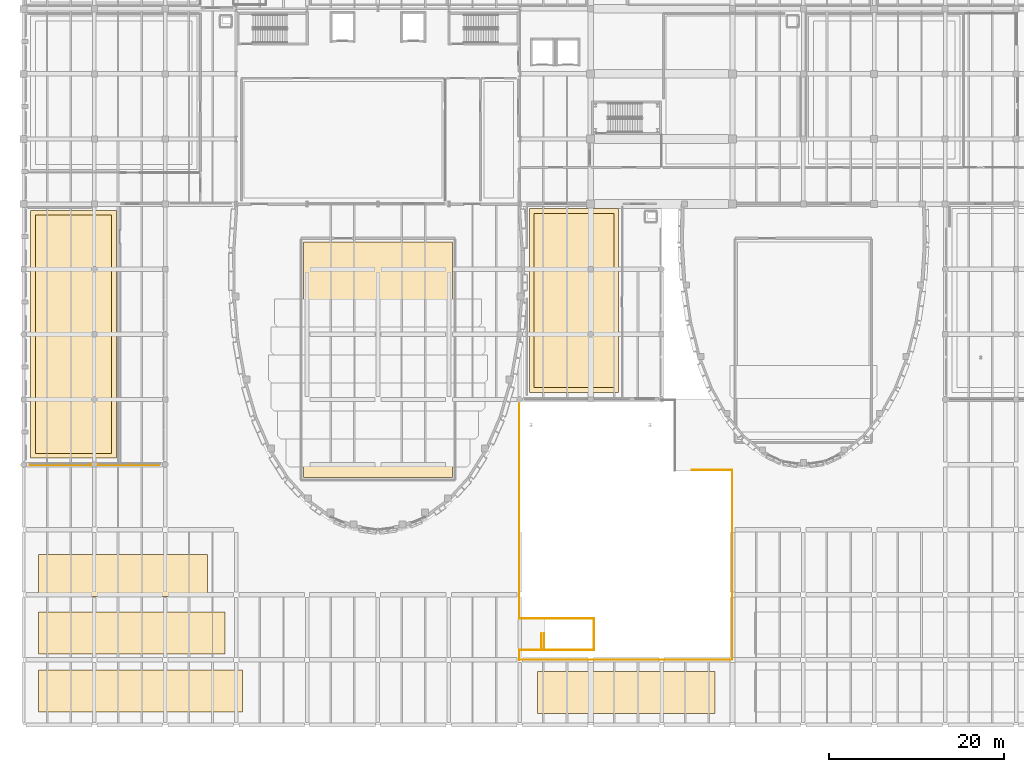
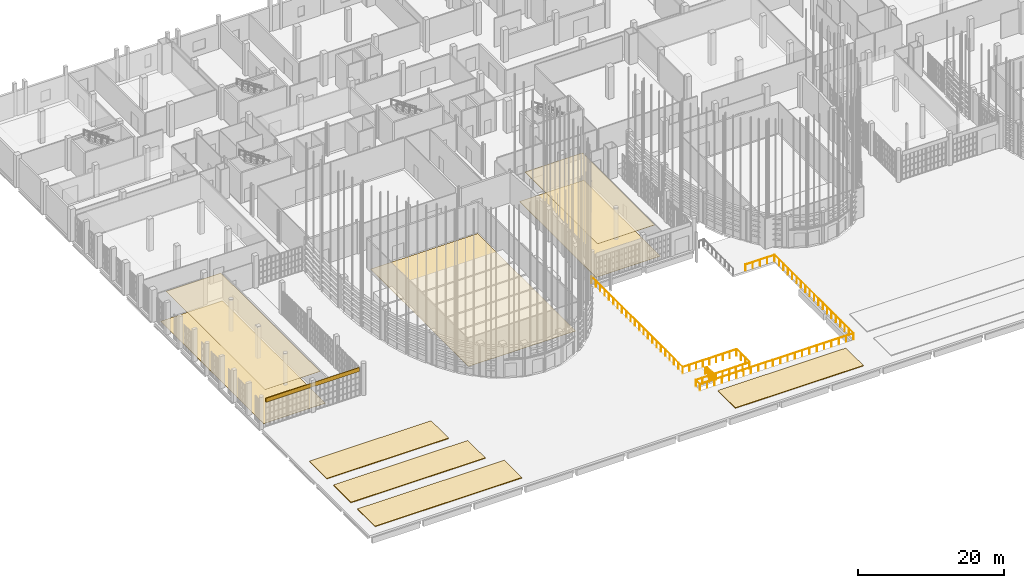
# One storey, part 361 of 372: 10 coverings, 10 railings.
"""IFC4 building model written with IfcOpenShell, lengths in metres."""

from ifc_helpers import new_model, si_unit, direction, frame, origin, origin_2d, place, context, subcontext, project, spatial, polyline, rectangle, circle, outline, extrude, material, layer, layer_set, type_object, element, save


model = new_model("IFC4")

# Units and contexts
model_context = context("Model", 3, precision=1e-05, world=origin(), true_north=direction((0.0, 1.0)))
body_context = subcontext(model_context, "Body", "Model", "MODEL_VIEW")
ifc_project = project(units=[si_unit("LENGTHUNIT", "METRE"), si_unit("AREAUNIT", "SQUARE_METRE"), si_unit("VOLUMEUNIT", "CUBIC_METRE"), si_unit("PLANEANGLEUNIT", "RADIAN"), si_unit("MASSUNIT", "GRAM", prefix="KILO")], contexts=[model_context])

# Site, building, storey
site_placement = place(None, origin())
site = spatial("IfcSite", under=ifc_project, at=site_placement, CompositionType="ELEMENT")
building_placement = place(site_placement, origin())
building = spatial("IfcBuilding", under=site, at=building_placement, Name="Kaelora Sail Theatre", CompositionType="ELEMENT")
storey_placement = place(building_placement, origin())
storey = spatial("IfcBuildingStorey", under=building, at=storey_placement, Name="L00", CompositionType="ELEMENT", Elevation=0.0)

# Coverings
ifc_material_1 = material(Name="Micro-perforated timber acoustic reflector", Category="wood")
ifc_layer_1 = layer(ifc_material_1, 0.050048828125)
ifc_layer_set_1 = layer_set([ifc_layer_1], Name="Micro-perforated timber acoustic reflector")
covering_type_1 = type_object("IfcCoveringType", Name="ARC-COV-CLG-AC-50", PredefinedType="CEILING", material=ifc_layer_set_1)
covering_1_placement = place(storey_placement, frame((0.0, 0.0, 5.070068359375)))
element("IfcCovering", 1, at=covering_1_placement, inside=storey, type_object=covering_type_1, Name="Acoustic ceiling L00-FOY-INTER1", PredefinedType="CEILING", context=body_context, shape_type="SweptSolid", body=[
    extrude(outline(polyline([(59.85009765625, 40.050048828125), (68.949951171875, 40.050048828125), (68.949951171875, 59.949951171875), (59.85009765625, 59.949951171875), (59.85009765625, 40.050048828125)])), origin(), (0.0, 0.0, 1.0), 0.050048828125),
])
ifc_material_2 = material(Name="Suspended acoustic mineral-fibre ceiling", Category="gypsum")
ifc_layer_2 = layer(ifc_material_2, 0.034912109375)
ifc_layer_set_2 = layer_set([ifc_layer_2], Name="Suspended acoustic mineral-fibre ceiling")
covering_type_2 = type_object("IfcCoveringType", Name="ARC-COV-CLG-GYP-35", PredefinedType="CEILING", material=ifc_layer_set_2)
covering_2_placement = place(storey_placement, frame((0.0, 0.0, 5.169921875)))
element("IfcCovering", 2, at=covering_2_placement, inside=storey, type_object=covering_type_2, Name="Acoustic ceiling L00-COL-WEST", PredefinedType="CEILING", context=body_context, shape_type="SweptSolid", body=[
    extrude(outline(polyline([(2.85009765625, 32.550048828125), (11.550048828125, 32.550048828125), (11.550048828125, 59.75), (2.85009765625, 59.75), (2.85009765625, 32.550048828125)])), origin(), (0.0, 0.0, 1.0), 0.03515625),
])
ifc_material_3 = material(Name="Sprung West African iroko stage and dance floor", Category="timber")
ifc_layer_3 = layer(ifc_material_3, 0.028076171875)
ifc_layer_set_3 = layer_set([ifc_layer_3], Name="Sprung West African iroko stage and dance floor")
covering_type_3 = type_object("IfcCoveringType", Name="ARC-COV-FLR-OAK-28", PredefinedType="FLOORING", material=ifc_layer_set_3)
covering_3_placement = place(storey_placement, origin())
element("IfcCovering", 3, at=covering_3_placement, inside=storey, type_object=covering_type_3, Name="Architectural flooring L00-AUD-MAIN", PredefinedType="FLOORING", context=body_context, shape_type="SweptSolid", body=[
    extrude(outline(polyline([(33.5, 29.800048828125), (50.5, 29.800048828125), (50.5, 56.699951171875), (33.5, 56.699951171875), (33.5, 29.800048828125)])), origin(), (0.0, 0.0, 1.0), 0.028076171875),
])
ifc_material_4 = material(Name="Polished basalt-terrazzo foyer flooring", Category="masonry")
ifc_layer_4 = layer(ifc_material_4, 0.031982421875)
ifc_layer_set_4 = layer_set([ifc_layer_4], Name="Polished basalt-terrazzo foyer flooring")
covering_type_4 = type_object("IfcCoveringType", Name="ARC-COV-FLR-TRZ-32", PredefinedType="FLOORING", material=ifc_layer_set_4)
covering_4_placement = place(storey_placement, origin())
element("IfcCovering", 4, at=covering_4_placement, inside=storey, type_object=covering_type_4, Name="Architectural flooring L00-COL-WEST", PredefinedType="FLOORING", context=body_context, shape_type="SweptSolid", body=[
    extrude(outline(polyline([(2.300048828125, 32.0), (12.10009765625, 32.0), (12.10009765625, 60.300048828125), (2.300048828125, 60.300048828125), (2.300048828125, 32.0)])), origin(), (0.0, 0.0, 1.0), 0.031982421875),
])
covering_5_placement = place(storey_placement, origin())
element("IfcCovering", 5, at=covering_5_placement, inside=storey, type_object=covering_type_4, Name="Architectural flooring L00-FOY-INTER1", PredefinedType="FLOORING", context=body_context, shape_type="SweptSolid", body=[
    extrude(outline(polyline([(59.300048828125, 39.5), (69.5, 39.5), (69.5, 60.5), (59.300048828125, 60.5), (59.300048828125, 39.5)])), origin(), (0.0, 0.0, 1.0), 0.031982421875),
])
ifc_material_5 = material(Name="Planted roof garden and green foliage terrace bed", Category="earth")
ifc_layer_5 = layer(ifc_material_5, 0.1201171875)
ifc_layer_set_5 = layer_set([ifc_layer_5], Name="Planted roof garden and green foliage terrace bed")
covering_type_5 = type_object("IfcCoveringType", Name="ARC-COV-GRN", PredefinedType="ROOFING", material=ifc_layer_set_5)
covering_6_placement = place(storey_placement, origin())
element("IfcCovering", 6, at=covering_6_placement, inside=storey, type_object=covering_type_5, Name="South Civic Podium Planted Garden Terrace POD-GRN-W1", PredefinedType="ROOFING", context=body_context, shape_type="SweptSolid", body=[
    extrude(outline(polyline([(3.199951171875, 3.0), (26.5, 3.0), (26.5, 7.800048828125), (3.199951171875, 7.800048828125), (3.199951171875, 3.0)])), origin(), (0.0, 0.0, 1.0), 0.1201171875),
])
covering_7_placement = place(storey_placement, origin())
element("IfcCovering", 7, at=covering_7_placement, inside=storey, type_object=covering_type_5, Name="South Civic Podium Planted Garden Terrace POD-GRN-W2", PredefinedType="ROOFING", context=body_context, shape_type="SweptSolid", body=[
    extrude(outline(polyline([(3.199951171875, 9.60009765625), (24.5, 9.60009765625), (24.5, 14.39990234375), (3.199951171875, 14.39990234375), (3.199951171875, 9.60009765625)])), origin(), (0.0, 0.0, 1.0), 0.1201171875),
])
covering_8_placement = place(storey_placement, origin())
element("IfcCovering", 8, at=covering_8_placement, inside=storey, type_object=covering_type_5, Name="South Civic Podium Planted Garden Terrace POD-GRN-W3", PredefinedType="ROOFING", context=body_context, shape_type="SweptSolid", body=[
    extrude(outline(polyline([(3.199951171875, 16.199951171875), (22.5, 16.199951171875), (22.5, 21.0), (3.199951171875, 21.0), (3.199951171875, 16.199951171875)])), origin(), (0.0, 0.0, 1.0), 0.1201171875),
])
covering_9_placement = place(storey_placement, origin())
element("IfcCovering", 9, at=covering_9_placement, inside=storey, type_object=covering_type_5, Name="South Civic Podium Planted Garden Terrace POD-GRN-C1", PredefinedType="ROOFING", context=body_context, shape_type="SweptSolid", body=[
    extrude(outline(polyline([(60.199951171875, 2.800048828125), (80.5, 2.800048828125), (80.5, 7.60009765625), (60.199951171875, 7.60009765625), (60.199951171875, 2.800048828125)])), origin(), (0.0, 0.0, 1.0), 0.1201171875),
])
ifc_material_6 = material(Name="Warm terracotta acoustic Postmodern facade entablature", Category="masonry")
ifc_layer_6 = layer(ifc_material_6, 0.06494140625)
ifc_layer_set_6 = layer_set([ifc_layer_6], Name="Warm terracotta acoustic Postmodern facade entablature")
covering_type_6 = type_object("IfcCoveringType", Name="ARC-COV-TRC", PredefinedType="CLADDING", material=ifc_layer_set_6)
covering_10_placement = place(storey_placement, frame((9.60009765625, 31.239990234375, 4.10986328125), z_axis=(0.0, 0.0, 1.0), x_axis=(1.0, 0.0, 0.0)))
element("IfcCovering", 10, at=covering_10_placement, inside=storey, type_object=covering_type_6, Name="Postmodern Terracotta Portal Entablature COLW", PredefinedType="CLADDING", context=body_context, shape_type="SweptSolid", body=[
    extrude(rectangle(XDim=14.800048828125, YDim=0.080078125, at=origin_2d()), origin(), (0.0, 0.0, 1.0), 0.679931640625),
])

# Railings
ifc_material_7 = material(Name="Stainless steel 316L and laminated glass balustrade", Category="steel")
railing_type = type_object("IfcRailingType", Name="ARC-RL-TER", PredefinedType="GUARDRAIL", material=ifc_material_7)
railing_1_placement = place(storey_placement, frame((58.139892578125, 8.93994140625, 0.0)))
element("IfcRailing", 11, at=railing_1_placement, inside=storey, type_object=railing_type, Name="Sunken Metro Forecourt Balustrade COURT-W1", PredefinedType="GUARDRAIL", context=body_context, shape_type="SweptSolid", body=[
    extrude(circle(Radius=0.02392578125, at=origin_2d()), frame((0.0, 0.0, 1.076171875), z_axis=(0.0, 1.0, 0.0), x_axis=(-1.0, 0.0, 0.0)), (0.0, 0.0, 1.0), 1.110107421875),
    extrude(circle(Radius=0.02099609375, at=origin_2d()), origin(), (0.0, 0.0, 1.0), 1.052001953125),
    extrude(circle(Radius=0.02099609375, at=origin_2d()), frame((0.0, 1.110107421875, 0.0)), (0.0, 0.0, 1.0), 1.052001953125),
])
railing_2_placement = place(storey_placement, frame((61.0, 10.080078125, 0.0)))
element("IfcRailing", 12, at=railing_2_placement, inside=storey, type_object=railing_type, Name="Sunken Metro Forecourt Balustrade STPLZ-WELL-W", PredefinedType="GUARDRAIL", context=body_context, shape_type="SweptSolid", body=[
    extrude(circle(Radius=0.02392578125, at=origin_2d()), frame((0.0, 0.0, 1.076171875), z_axis=(0.0, 1.0, 0.0), x_axis=(-1.0, 0.0, 0.0)), (0.0, 0.0, 1.0), 1.8798828125),
    extrude(circle(Radius=0.02099609375, at=origin_2d()), origin(), (0.0, 0.0, 1.0), 1.052001953125),
    extrude(circle(Radius=0.02099609375, at=origin_2d()), frame((0.0, 0.93994140625, 0.0)), (0.0, 0.0, 1.0), 1.052001953125),
    extrude(circle(Radius=0.02099609375, at=origin_2d()), frame((0.0, 1.8798828125, 0.0)), (0.0, 0.0, 1.0), 1.052001953125),
])
railing_3_placement = place(storey_placement, frame((58.139892578125, 13.64990234375, 0.0)))
element("IfcRailing", 13, at=railing_3_placement, inside=storey, type_object=railing_type, Name="Sunken Metro Forecourt Balustrade COURT-W2", PredefinedType="GUARDRAIL", context=body_context, shape_type="SweptSolid", body=[
    extrude(circle(Radius=0.02392578125, at=origin_2d()), frame((0.0, 0.0, 1.076171875), z_axis=(0.0, 1.0, 0.0), x_axis=(-1.0, 0.0, 0.0)), (0.0, 0.0, 1.0), 25.030029296875),
    extrude(circle(Radius=0.02099609375, at=origin_2d()), origin(), (0.0, 0.0, 1.0), 1.052001953125),
    extrude(circle(Radius=0.02099609375, at=origin_2d()), frame((0.0, 1.19189453125, 0.0)), (0.0, 0.0, 1.0), 1.052001953125),
    extrude(circle(Radius=0.02099609375, at=origin_2d()), frame((0.0, 2.3837890625, 0.0)), (0.0, 0.0, 1.0), 1.052001953125),
    extrude(circle(Radius=0.02099609375, at=origin_2d()), frame((0.0, 3.57568359375, 0.0)), (0.0, 0.0, 1.0), 1.052001953125),
    extrude(circle(Radius=0.02099609375, at=origin_2d()), frame((0.0, 4.767578125, 0.0)), (0.0, 0.0, 1.0), 1.052001953125),
    extrude(circle(Radius=0.02099609375, at=origin_2d()), frame((0.0, 5.95947265625, 0.0)), (0.0, 0.0, 1.0), 1.052001953125),
    extrude(circle(Radius=0.02099609375, at=origin_2d()), frame((0.0, 7.1513671875, 0.0)), (0.0, 0.0, 1.0), 1.052001953125),
    extrude(circle(Radius=0.02099609375, at=origin_2d()), frame((0.0, 8.34326171875, 0.0)), (0.0, 0.0, 1.0), 1.052001953125),
    extrude(circle(Radius=0.02099609375, at=origin_2d()), frame((0.0, 9.53515625, 0.0)), (0.0, 0.0, 1.0), 1.052001953125),
    extrude(circle(Radius=0.02099609375, at=origin_2d()), frame((0.0, 10.72705078125, 0.0)), (0.0, 0.0, 1.0), 1.052001953125),
    extrude(circle(Radius=0.02099609375, at=origin_2d()), frame((0.0, 11.9189453125, 0.0)), (0.0, 0.0, 1.0), 1.052001953125),
    extrude(circle(Radius=0.02099609375, at=origin_2d()), frame((0.0, 13.111083984375, 0.0)), (0.0, 0.0, 1.0), 1.052001953125),
    extrude(circle(Radius=0.02099609375, at=origin_2d()), frame((0.0, 14.302978515625, 0.0)), (0.0, 0.0, 1.0), 1.052001953125),
    extrude(circle(Radius=0.02099609375, at=origin_2d()), frame((0.0, 15.494873046875, 0.0)), (0.0, 0.0, 1.0), 1.052001953125),
    extrude(circle(Radius=0.02099609375, at=origin_2d()), frame((0.0, 16.686767578125, 0.0)), (0.0, 0.0, 1.0), 1.052001953125),
    extrude(circle(Radius=0.02099609375, at=origin_2d()), frame((0.0, 17.878662109375, 0.0)), (0.0, 0.0, 1.0), 1.052001953125),
    extrude(circle(Radius=0.02099609375, at=origin_2d()), frame((0.0, 19.070556640625, 0.0)), (0.0, 0.0, 1.0), 1.052001953125),
    extrude(circle(Radius=0.02099609375, at=origin_2d()), frame((0.0, 20.262451171875, 0.0)), (0.0, 0.0, 1.0), 1.052001953125),
    extrude(circle(Radius=0.02099609375, at=origin_2d()), frame((0.0, 21.454345703125, 0.0)), (0.0, 0.0, 1.0), 1.052001953125),
    extrude(circle(Radius=0.02099609375, at=origin_2d()), frame((0.0, 22.646240234375, 0.0)), (0.0, 0.0, 1.0), 1.052001953125),
    extrude(circle(Radius=0.02099609375, at=origin_2d()), frame((0.0, 23.838134765625, 0.0)), (0.0, 0.0, 1.0), 1.052001953125),
    extrude(circle(Radius=0.02099609375, at=origin_2d()), frame((0.0, 25.030029296875, 0.0)), (0.0, 0.0, 1.0), 1.052001953125),
])
railing_4_placement = place(storey_placement, frame((58.139892578125, 8.9599609375, 0.0)))
element("IfcRailing", 14, at=railing_4_placement, inside=storey, type_object=railing_type, Name="Sunken Metro Forecourt Balustrade COURT-S", PredefinedType="GUARDRAIL", context=body_context, shape_type="SweptSolid", body=[
    extrude(circle(Radius=0.02392578125, at=origin_2d()), frame((0.0, 0.0, 1.076171875), z_axis=(1.0, 0.0, 0.0), x_axis=(0.0, 1.0, 0.0)), (0.0, 0.0, 1.0), 24.340087890625),
    extrude(circle(Radius=0.02099609375, at=origin_2d()), origin(), (0.0, 0.0, 1.0), 1.052001953125),
    extrude(circle(Radius=0.02099609375, at=origin_2d()), frame((1.158935546875, 0.0, 0.0)), (0.0, 0.0, 1.0), 1.052001953125),
    extrude(circle(Radius=0.02099609375, at=origin_2d()), frame((2.318115234375, 0.0, 0.0)), (0.0, 0.0, 1.0), 1.052001953125),
    extrude(circle(Radius=0.02099609375, at=origin_2d()), frame((3.47705078125, 0.0, 0.0)), (0.0, 0.0, 1.0), 1.052001953125),
    extrude(circle(Radius=0.02099609375, at=origin_2d()), frame((4.63623046875, 0.0, 0.0)), (0.0, 0.0, 1.0), 1.052001953125),
    extrude(circle(Radius=0.02099609375, at=origin_2d()), frame((5.795166015625, 0.0, 0.0)), (0.0, 0.0, 1.0), 1.052001953125),
    extrude(circle(Radius=0.02099609375, at=origin_2d()), frame((6.954345703125, 0.0, 0.0)), (0.0, 0.0, 1.0), 1.052001953125),
    extrude(circle(Radius=0.02099609375, at=origin_2d()), frame((8.11328125, 0.0, 0.0)), (0.0, 0.0, 1.0), 1.052001953125),
    extrude(circle(Radius=0.02099609375, at=origin_2d()), frame((9.2724609375, 0.0, 0.0)), (0.0, 0.0, 1.0), 1.052001953125),
    extrude(circle(Radius=0.02099609375, at=origin_2d()), frame((10.431396484375, 0.0, 0.0)), (0.0, 0.0, 1.0), 1.052001953125),
    extrude(circle(Radius=0.02099609375, at=origin_2d()), frame((11.590576171875, 0.0, 0.0)), (0.0, 0.0, 1.0), 1.052001953125),
    extrude(circle(Radius=0.02099609375, at=origin_2d()), frame((12.74951171875, 0.0, 0.0)), (0.0, 0.0, 1.0), 1.052001953125),
    extrude(circle(Radius=0.02099609375, at=origin_2d()), frame((13.90869140625, 0.0, 0.0)), (0.0, 0.0, 1.0), 1.052001953125),
    extrude(circle(Radius=0.02099609375, at=origin_2d()), frame((15.067626953125, 0.0, 0.0)), (0.0, 0.0, 1.0), 1.052001953125),
    extrude(circle(Radius=0.02099609375, at=origin_2d()), frame((16.226806640625, 0.0, 0.0)), (0.0, 0.0, 1.0), 1.052001953125),
    extrude(circle(Radius=0.02099609375, at=origin_2d()), frame((17.3857421875, 0.0, 0.0)), (0.0, 0.0, 1.0), 1.052001953125),
    extrude(circle(Radius=0.02099609375, at=origin_2d()), frame((18.544921875, 0.0, 0.0)), (0.0, 0.0, 1.0), 1.052001953125),
    extrude(circle(Radius=0.02099609375, at=origin_2d()), frame((19.703857421875, 0.0, 0.0)), (0.0, 0.0, 1.0), 1.052001953125),
    extrude(circle(Radius=0.02099609375, at=origin_2d()), frame((20.863037109375, 0.0, 0.0)), (0.0, 0.0, 1.0), 1.052001953125),
    extrude(circle(Radius=0.02099609375, at=origin_2d()), frame((22.02197265625, 0.0, 0.0)), (0.0, 0.0, 1.0), 1.052001953125),
    extrude(circle(Radius=0.02099609375, at=origin_2d()), frame((23.18115234375, 0.0, 0.0)), (0.0, 0.0, 1.0), 1.052001953125),
    extrude(circle(Radius=0.02099609375, at=origin_2d()), frame((24.340087890625, 0.0, 0.0)), (0.0, 0.0, 1.0), 1.052001953125),
])
railing_5_placement = place(storey_placement, frame((82.47998046875, 8.9599609375, 0.0)))
element("IfcRailing", 15, at=railing_5_placement, inside=storey, type_object=railing_type, Name="Sunken Metro Forecourt Balustrade COURT-E", PredefinedType="GUARDRAIL", context=body_context, shape_type="SweptSolid", body=[
    extrude(circle(Radius=0.02392578125, at=origin_2d()), frame((0.0, 0.0, 1.076171875), z_axis=(0.0, 1.0, 0.0), x_axis=(-1.0, 0.0, 0.0)), (0.0, 0.0, 1.0), 21.590087890625),
    extrude(circle(Radius=0.02099609375, at=origin_2d()), origin(), (0.0, 0.0, 1.0), 1.052001953125),
    extrude(circle(Radius=0.02099609375, at=origin_2d()), frame((0.0, 1.199462890625, 0.0)), (0.0, 0.0, 1.0), 1.052001953125),
    extrude(circle(Radius=0.02099609375, at=origin_2d()), frame((0.0, 2.39892578125, 0.0)), (0.0, 0.0, 1.0), 1.052001953125),
    extrude(circle(Radius=0.02099609375, at=origin_2d()), frame((0.0, 3.598388671875, 0.0)), (0.0, 0.0, 1.0), 1.052001953125),
    extrude(circle(Radius=0.02099609375, at=origin_2d()), frame((0.0, 4.7978515625, 0.0)), (0.0, 0.0, 1.0), 1.052001953125),
    extrude(circle(Radius=0.02099609375, at=origin_2d()), frame((0.0, 5.997314453125, 0.0)), (0.0, 0.0, 1.0), 1.052001953125),
    extrude(circle(Radius=0.02099609375, at=origin_2d()), frame((0.0, 7.19677734375, 0.0)), (0.0, 0.0, 1.0), 1.052001953125),
    extrude(circle(Radius=0.02099609375, at=origin_2d()), frame((0.0, 8.396240234375, 0.0)), (0.0, 0.0, 1.0), 1.052001953125),
    extrude(circle(Radius=0.02099609375, at=origin_2d()), frame((0.0, 9.595703125, 0.0)), (0.0, 0.0, 1.0), 1.052001953125),
    extrude(circle(Radius=0.02099609375, at=origin_2d()), frame((0.0, 10.794921875, 0.0)), (0.0, 0.0, 1.0), 1.052001953125),
    extrude(circle(Radius=0.02099609375, at=origin_2d()), frame((0.0, 11.994384765625, 0.0)), (0.0, 0.0, 1.0), 1.052001953125),
    extrude(circle(Radius=0.02099609375, at=origin_2d()), frame((0.0, 13.19384765625, 0.0)), (0.0, 0.0, 1.0), 1.052001953125),
    extrude(circle(Radius=0.02099609375, at=origin_2d()), frame((0.0, 14.393310546875, 0.0)), (0.0, 0.0, 1.0), 1.052001953125),
    extrude(circle(Radius=0.02099609375, at=origin_2d()), frame((0.0, 15.5927734375, 0.0)), (0.0, 0.0, 1.0), 1.052001953125),
    extrude(circle(Radius=0.02099609375, at=origin_2d()), frame((0.0, 16.792236328125, 0.0)), (0.0, 0.0, 1.0), 1.052001953125),
    extrude(circle(Radius=0.02099609375, at=origin_2d()), frame((0.0, 17.99169921875, 0.0)), (0.0, 0.0, 1.0), 1.052001953125),
    extrude(circle(Radius=0.02099609375, at=origin_2d()), frame((0.0, 19.191162109375, 0.0)), (0.0, 0.0, 1.0), 1.052001953125),
    extrude(circle(Radius=0.02099609375, at=origin_2d()), frame((0.0, 20.390625, 0.0)), (0.0, 0.0, 1.0), 1.052001953125),
    extrude(circle(Radius=0.02099609375, at=origin_2d()), frame((0.0, 21.590087890625, 0.0)), (0.0, 0.0, 1.0), 1.052001953125),
])
railing_6_placement = place(storey_placement, frame((77.8798828125, 30.6201171875, 0.0)))
element("IfcRailing", 16, at=railing_6_placement, inside=storey, type_object=railing_type, Name="Sunken Metro Forecourt Balustrade RMP-TOP-S", PredefinedType="GUARDRAIL", context=body_context, shape_type="SweptSolid", body=[
    extrude(circle(Radius=0.02392578125, at=origin_2d()), frame((0.0, 0.0, 1.076171875), z_axis=(1.0, 0.0, 0.0), x_axis=(0.0, 1.0, 0.0)), (0.0, 0.0, 1.0), 4.60009765625),
    extrude(circle(Radius=0.02099609375, at=origin_2d()), origin(), (0.0, 0.0, 1.0), 1.052001953125),
    extrude(circle(Radius=0.02099609375, at=origin_2d()), frame((1.14990234375, 0.0, 0.0)), (0.0, 0.0, 1.0), 1.052001953125),
    extrude(circle(Radius=0.02099609375, at=origin_2d()), frame((2.300048828125, 0.0, 0.0)), (0.0, 0.0, 1.0), 1.052001953125),
    extrude(circle(Radius=0.02099609375, at=origin_2d()), frame((3.4501953125, 0.0, 0.0)), (0.0, 0.0, 1.0), 1.052001953125),
    extrude(circle(Radius=0.02099609375, at=origin_2d()), frame((4.60009765625, 0.0, 0.0)), (0.0, 0.0, 1.0), 1.052001953125),
])
railing_7_placement = place(storey_placement, frame((60.699951171875, 10.199951171875, 0.0)))
element("IfcRailing", 17, at=railing_7_placement, inside=storey, type_object=railing_type, Name="L00 ST-PLZ top well guard 1", PredefinedType="GUARDRAIL", context=body_context, shape_type="SweptSolid", body=[
    extrude(circle(Radius=0.02392578125, at=origin_2d()), frame((0.0, 0.0, 1.076171875), z_axis=(0.0, 1.0, 0.0), x_axis=(-1.0, 0.0, 0.0)), (0.0, 0.0, 1.0), 1.75),
    extrude(circle(Radius=0.02099609375, at=origin_2d()), origin(), (0.0, 0.0, 1.0), 1.052001953125),
    extrude(circle(Radius=0.02099609375, at=origin_2d()), frame((0.0, 0.875, 0.0)), (0.0, 0.0, 1.0), 1.052001953125),
    extrude(circle(Radius=0.02099609375, at=origin_2d()), frame((0.0, 1.75, 0.0)), (0.0, 0.0, 1.0), 1.052001953125),
])
for number, where, name in (
    (18, (58.139892578125, 13.669921875, 0.0), "Plaza stair ST-PLZ top balustrade N"),
    (19, (58.139892578125, 10.080078125, 0.0), "Plaza stair ST-PLZ top balustrade S"),
):
    element("IfcRailing", number, at=place(storey_placement, frame(where)), inside=storey, type_object=railing_type, Name=name, PredefinedType="GUARDRAIL", context=body_context, shape_type="SweptSolid", body=[
        extrude(circle(Radius=0.02392578125, at=origin_2d()), frame((0.0, 0.0, 1.076171875), z_axis=(1.0, 0.0, 0.0), x_axis=(0.0, 1.0, 0.0)), (0.0, 0.0, 1.0), 8.510009765625),
        extrude(circle(Radius=0.02099609375, at=origin_2d()), origin(), (0.0, 0.0, 1.0), 1.052001953125),
        extrude(circle(Radius=0.02099609375, at=origin_2d()), frame((1.063720703125, 0.0, 0.0)), (0.0, 0.0, 1.0), 1.052001953125),
        extrude(circle(Radius=0.02099609375, at=origin_2d()), frame((2.12744140625, 0.0, 0.0)), (0.0, 0.0, 1.0), 1.052001953125),
        extrude(circle(Radius=0.02099609375, at=origin_2d()), frame((3.191162109375, 0.0, 0.0)), (0.0, 0.0, 1.0), 1.052001953125),
        extrude(circle(Radius=0.02099609375, at=origin_2d()), frame((4.2548828125, 0.0, 0.0)), (0.0, 0.0, 1.0), 1.052001953125),
        extrude(circle(Radius=0.02099609375, at=origin_2d()), frame((5.31884765625, 0.0, 0.0)), (0.0, 0.0, 1.0), 1.052001953125),
        extrude(circle(Radius=0.02099609375, at=origin_2d()), frame((6.382568359375, 0.0, 0.0)), (0.0, 0.0, 1.0), 1.052001953125),
        extrude(circle(Radius=0.02099609375, at=origin_2d()), frame((7.4462890625, 0.0, 0.0)), (0.0, 0.0, 1.0), 1.052001953125),
        extrude(circle(Radius=0.02099609375, at=origin_2d()), frame((8.510009765625, 0.0, 0.0)), (0.0, 0.0, 1.0), 1.052001953125),
    ])
railing_8_placement = place(storey_placement, frame((66.699951171875, 10.080078125, 0.0)))
element("IfcRailing", 20, at=railing_8_placement, inside=storey, type_object=railing_type, Name="Plaza stair ST-PLZ east balustrade", PredefinedType="GUARDRAIL", context=body_context, shape_type="SweptSolid", body=[
    extrude(circle(Radius=0.02392578125, at=origin_2d()), frame((0.0, 0.0, 1.076171875), z_axis=(0.0, 1.0, 0.0), x_axis=(-1.0, 0.0, 0.0)), (0.0, 0.0, 1.0), 3.58984375),
    extrude(circle(Radius=0.02099609375, at=origin_2d()), origin(), (0.0, 0.0, 1.0), 1.052001953125),
    extrude(circle(Radius=0.02099609375, at=origin_2d()), frame((0.0, 1.196533203125, 0.0)), (0.0, 0.0, 1.0), 1.052001953125),
    extrude(circle(Radius=0.02099609375, at=origin_2d()), frame((0.0, 2.393310546875, 0.0)), (0.0, 0.0, 1.0), 1.052001953125),
    extrude(circle(Radius=0.02099609375, at=origin_2d()), frame((0.0, 3.58984375, 0.0)), (0.0, 0.0, 1.0), 1.052001953125),
])

save(model, "model.ifc")
